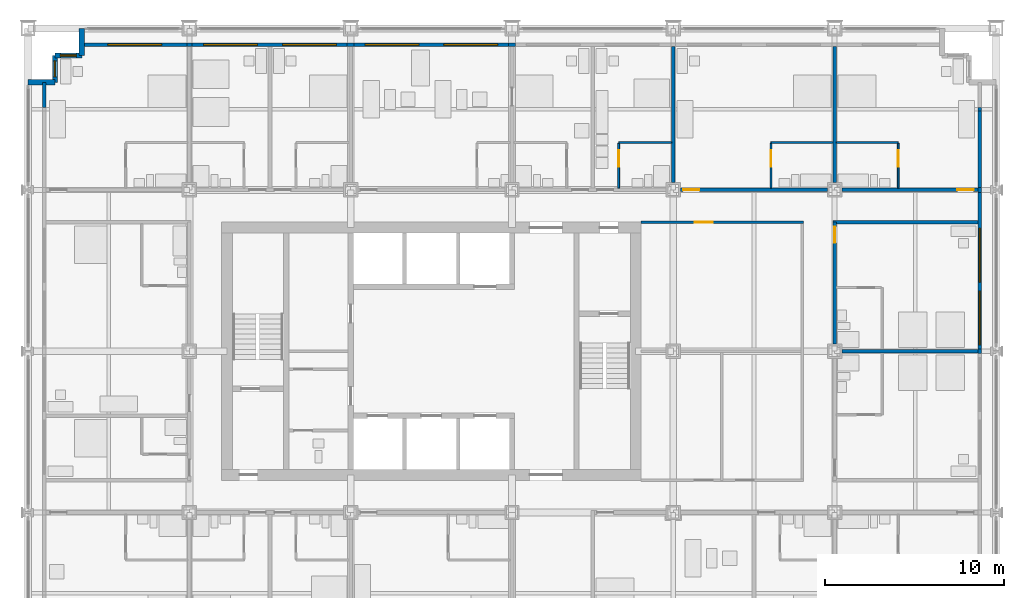
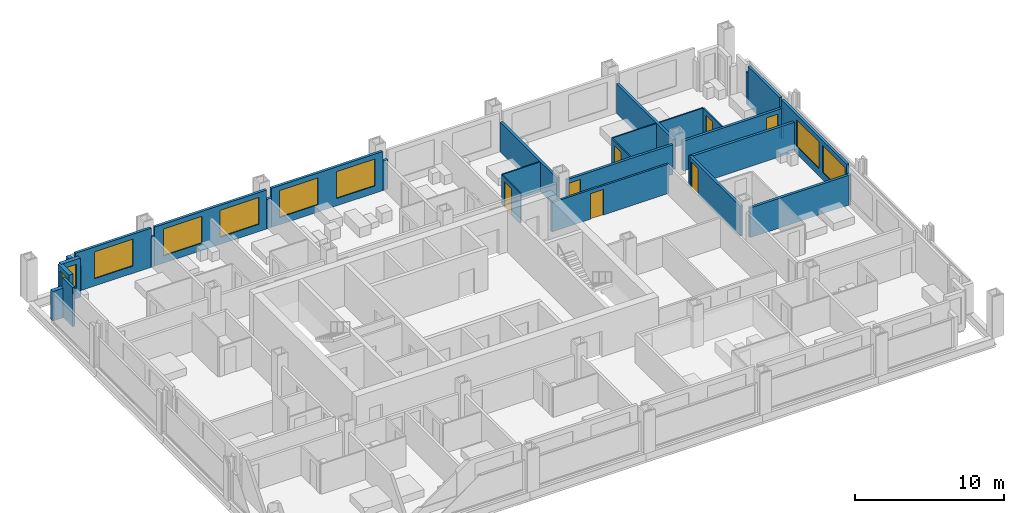
# One storey, part 14 of 18: 30 walls, 9 windows, 7 doors, 16 openings.
"""IFC4 building model written with IfcOpenShell, lengths in metres."""

from ifc_helpers import new_model, si_unit, direction, frame, frame_2d, origin, place, context, subcontext, project, spatial, rectangle, extrude, material, layer, layer_set, type_object, element, fill, save


model = new_model("IFC4")

# Units and contexts
model_context = context("Model", 3, precision=1e-05, world=origin(), true_north=direction((0.0, 1.0)))
body_context = subcontext(model_context, "Body", "Model", "MODEL_VIEW")
ifc_project = project(units=[si_unit("LENGTHUNIT", "METRE"), si_unit("AREAUNIT", "SQUARE_METRE"), si_unit("VOLUMEUNIT", "CUBIC_METRE"), si_unit("PLANEANGLEUNIT", "RADIAN"), si_unit("MASSUNIT", "GRAM", prefix="KILO")], contexts=[model_context])

# Site, building, storey
site_placement = place(None, origin())
site = spatial("IfcSite", under=ifc_project, at=site_placement, CompositionType="ELEMENT")
building_placement = place(site_placement, origin())
building = spatial("IfcBuilding", under=site, at=building_placement, Name="Loomwork Tower", CompositionType="ELEMENT")
storey_placement = place(building_placement, frame((0.0, 0.0, 34.800048828125)))
storey = spatial("IfcBuildingStorey", under=building, at=storey_placement, Name="L07", CompositionType="ELEMENT", Elevation=34.800048828125)

# Wall, opening, door
ifc_material_1 = material(Name="Gypsum board on steel studs, one-hour", Category="steel")
ifc_layer_1 = layer(ifc_material_1, 0.199951171875)
ifc_layer_set_1 = layer_set([ifc_layer_1], Name="Corridor wall 200")
wall_type_1 = type_object("IfcWallType", Name="Corridor wall 200", PredefinedType="PARTITIONING", material=ifc_layer_set_1)
wall_1_placement = place(storey_placement, frame((36.39990234375, 27.0, 0.0), z_axis=(0.0, 0.0, 1.0), x_axis=(1.0, 0.0, 0.0)))
wall_1 = element("IfcWall", 1, at=wall_1_placement, inside=storey, type_object=wall_type_1, Name="North corridor wall 5", PredefinedType="PARTITIONING", context=body_context, shape_type="SweptSolid", body=[
    extrude(rectangle(XDim=8.2001953125, YDim=0.199951171875, at=frame_2d((4.10009765625, 0.0))), origin(), (0.0, 0.0, 1.0), 2.43798828125),
])
opening_1_placement = place(wall_1_placement, frame((0.14990234375, 0.0, 0.0)))
opening_1 = element("IfcOpeningElement", 2, at=opening_1_placement, cuts=wall_1, Name="Opening D1", PredefinedType="OPENING", context=body_context, shape_type="SweptSolid", body=[
    extrude(rectangle(XDim=0.89990234375, YDim=2.10009765625, at=frame_2d((0.449951171875, 1.050048828125))), frame((0.0, 0.10986328125, 0.0), z_axis=(0.0, -1.0, 0.0), x_axis=(1.0, 0.0, 0.0)), (0.0, 0.0, 1.0), 0.219970703125),
])
ifc_material_2 = material(Name="Hollow metal door and frame")
door_type_1 = type_object("IfcDoorType", Name="Guest room entry door 900", OperationType="SINGLE_SWING_LEFT", PredefinedType="DOOR", material=ifc_material_2)
door_1_placement = place(opening_1_placement, origin())
door_1 = element("IfcDoor", 3, at=door_1_placement, inside=storey, type_object=door_type_1, Name="Guest room entry door L07 14", OperationType="SINGLE_SWING_LEFT", OverallHeight=2.10009765625, OverallWidth=0.89990234375, PredefinedType="DOOR", context=body_context, shape_type="SweptSolid", body=[
    extrude(rectangle(XDim=0.89990234375, YDim=2.10009765625, at=frame_2d((0.449951171875, 1.050048828125))), frame((0.0, 0.02490234375, 0.0), z_axis=(0.0, -1.0, 0.0), x_axis=(1.0, 0.0, 0.0)), (0.0, 0.0, 1.0), 0.050048828125),
])
fill(opening_1, door_1)

wall_2_placement = place(storey_placement, frame((45.39990234375, 27.0, 0.0), z_axis=(0.0, 0.0, 1.0), x_axis=(1.0, 0.0, 0.0)))
wall_2 = element("IfcWall", 4, at=wall_2_placement, inside=storey, type_object=wall_type_1, Name="North corridor wall 6", PredefinedType="PARTITIONING", context=body_context, shape_type="SweptSolid", body=[
    extrude(rectangle(XDim=7.60009765625, YDim=0.199951171875, at=frame_2d((3.800048828125, 0.0))), origin(), (0.0, 0.0, 1.0), 2.43798828125),
])
opening_2_placement = place(wall_2_placement, frame((6.449951171875, 0.0, 0.0)))
opening_2 = element("IfcOpeningElement", 5, at=opening_2_placement, cuts=wall_2, Name="Opening D1", PredefinedType="OPENING", context=body_context, shape_type="SweptSolid", body=[
    extrude(rectangle(XDim=0.89990234375, YDim=2.10009765625, at=frame_2d((0.449951171875, 1.050048828125))), frame((0.0, 0.10986328125, 0.0), z_axis=(0.0, -1.0, 0.0), x_axis=(1.0, 0.0, 0.0)), (0.0, 0.0, 1.0), 0.219970703125),
])
door_2_placement = place(opening_2_placement, origin())
door_2 = element("IfcDoor", 6, at=door_2_placement, inside=storey, type_object=door_type_1, Name="Guest room entry door L07 15", OperationType="SINGLE_SWING_RIGHT", OverallHeight=2.10009765625, OverallWidth=0.89990234375, PredefinedType="DOOR", context=body_context, shape_type="SweptSolid", body=[
    extrude(rectangle(XDim=0.89990234375, YDim=2.10009765625, at=frame_2d((0.449951171875, 1.050048828125))), frame((0.0, 0.02490234375, 0.0), z_axis=(0.0, -1.0, 0.0), x_axis=(1.0, 0.0, 0.0)), (0.0, 0.0, 1.0), 0.050048828125),
])
fill(opening_2, door_2)

wall_3_placement = place(storey_placement, frame((45.0, 18.39990234375, 0.0), z_axis=(0.0, 0.0, 1.0), x_axis=(0.0, 1.0, 0.0)))
wall_3 = element("IfcWall", 7, at=wall_3_placement, inside=storey, type_object=wall_type_1, Name="East corridor wall 2", PredefinedType="PARTITIONING", context=body_context, shape_type="SweptSolid", body=[
    extrude(rectangle(XDim=6.800048828125, YDim=0.199951171875, at=frame_2d((3.39990234375, 0.0))), origin(), (0.0, 0.0, 1.0), 2.43798828125),
])
opening_3_placement = place(wall_3_placement, frame((5.64990234375, 0.0, 0.0)))
opening_3 = element("IfcOpeningElement", 8, at=opening_3_placement, cuts=wall_3, Name="Opening D1", PredefinedType="OPENING", context=body_context, shape_type="SweptSolid", body=[
    extrude(rectangle(XDim=0.89990234375, YDim=2.10009765625, at=frame_2d((0.449951171875, 1.050048828125))), frame((0.0, 0.10986328125, 0.0), z_axis=(0.0, -1.0, 0.0), x_axis=(1.0, 0.0, 0.0)), (0.0, 0.0, 1.0), 0.219970703125),
])
door_3_placement = place(opening_3_placement, frame((0.89990234375, 0.0, 0.0), z_axis=(0.0, 0.0, 1.0), x_axis=(-1.0, 0.0, 0.0)))
door_3 = element("IfcDoor", 9, at=door_3_placement, inside=storey, type_object=door_type_1, Name="Guest room entry door L07 19", OperationType="SINGLE_SWING_LEFT", OverallHeight=2.10009765625, OverallWidth=0.89990234375, PredefinedType="DOOR", context=body_context, shape_type="SweptSolid", body=[
    extrude(rectangle(XDim=0.89990234375, YDim=2.10009765625, at=frame_2d((0.449951171875, 1.050048828125))), frame((0.0, 0.02490234375, 0.0), z_axis=(0.0, -1.0, 0.0), x_axis=(1.0, 0.0, 0.0)), (0.0, 0.0, 1.0), 0.050048828125),
])
fill(opening_3, door_3)

# Walls
wall_4_placement = place(storey_placement, frame((44.89990234375, 25.199951171875, 0.0), z_axis=(0.0, 0.0, 1.0), x_axis=(1.0, 0.0, 0.0)))
element("IfcWall", 10, at=wall_4_placement, inside=storey, type_object=wall_type_1, Name="East band end wall N", PredefinedType="PARTITIONING", context=body_context, shape_type="SweptSolid", body=[
    extrude(rectangle(XDim=8.10009765625, YDim=0.199951171875, at=frame_2d((4.050048828125, 0.0))), origin(), (0.0, 0.0, 1.0), 2.43798828125),
])
ifc_material_3 = material(Name="Cement board on steel studs", Category="steel")
ifc_layer_2 = layer(ifc_material_3, 0.10009765625)
ifc_layer_set_2 = layer_set([ifc_layer_2], Name="En-suite partition 100")
wall_type_2 = type_object("IfcWallType", Name="En-suite partition 100", PredefinedType="PARTITIONING", material=ifc_layer_set_2)
wall_5_placement = place(storey_placement, frame((32.949951171875, 29.64990234375, 0.0), z_axis=(0.0, 0.0, 1.0), x_axis=(1.0, 0.0, 0.0)))
element("IfcWall", 11, at=wall_5_placement, inside=storey, type_object=wall_type_2, Name="En-suite wall L07 room 13", PredefinedType="PARTITIONING", context=body_context, shape_type="SweptSolid", body=[
    extrude(rectangle(XDim=2.949951171875, YDim=0.10009765625, at=frame_2d((1.47509765625, 0.0))), origin(), (0.0, 0.0, 1.0), 2.43798828125),
])

# Wall, opening, door
wall_6_placement = place(storey_placement, frame((32.949951171875, 27.10009765625, 0.0), z_axis=(0.0, 0.0, 1.0), x_axis=(0.0, 1.0, 0.0)))
wall_6 = element("IfcWall", 12, at=wall_6_placement, inside=storey, type_object=wall_type_2, Name="En-suite side wall L07 room 13", PredefinedType="PARTITIONING", context=body_context, shape_type="SweptSolid", body=[
    extrude(rectangle(XDim=2.5, YDim=0.10009765625, at=frame_2d((1.25, 0.0))), origin(), (0.0, 0.0, 1.0), 2.404052734375),
])
opening_4_placement = place(wall_6_placement, frame((1.199951171875, 0.0, 0.0)))
opening_4 = element("IfcOpeningElement", 13, at=opening_4_placement, cuts=wall_6, Name="Opening D2", PredefinedType="OPENING", context=body_context, shape_type="SweptSolid", body=[
    extrude(rectangle(XDim=0.89990234375, YDim=2.10009765625, at=frame_2d((0.449951171875, 1.050048828125))), frame((0.0, 0.06005859375, 0.0), z_axis=(0.0, -1.0, 0.0), x_axis=(1.0, 0.0, 0.0)), (0.0, 0.0, 1.0), 0.1201171875),
])
ifc_material_4 = material(Name="Hollow metal door and frame")
door_type_2 = type_object("IfcDoorType", Name="En-suite door 900", OperationType="SINGLE_SWING_LEFT", PredefinedType="DOOR", material=ifc_material_4)
door_4_placement = place(opening_4_placement, frame((0.89990234375, 0.0, 0.0), z_axis=(0.0, 0.0, 1.0), x_axis=(-1.0, 0.0, 0.0)))
door_4 = element("IfcDoor", 14, at=door_4_placement, inside=storey, type_object=door_type_2, Name="En-suite door room 13", OperationType="SINGLE_SWING_LEFT", OverallHeight=2.10009765625, OverallWidth=0.89990234375, PredefinedType="DOOR", context=body_context, shape_type="SweptSolid", body=[
    extrude(rectangle(XDim=0.89990234375, YDim=2.10009765625, at=frame_2d((0.449951171875, 1.050048828125))), frame((0.0, 0.02490234375, 0.0), z_axis=(0.0, -1.0, 0.0), x_axis=(1.0, 0.0, 0.0)), (0.0, 0.0, 1.0), 0.050048828125),
])
fill(opening_4, door_4)

# Wall
wall_7_placement = place(storey_placement, frame((41.449951171875, 29.64990234375, 0.0), z_axis=(0.0, 0.0, 1.0), x_axis=(1.0, 0.0, 0.0)))
element("IfcWall", 15, at=wall_7_placement, inside=storey, type_object=wall_type_2, Name="En-suite wall L07 room 14", PredefinedType="PARTITIONING", context=body_context, shape_type="SweptSolid", body=[
    extrude(rectangle(XDim=3.449951171875, YDim=0.10009765625, at=frame_2d((1.72509765625, 0.0))), origin(), (0.0, 0.0, 1.0), 2.43798828125),
])

# Wall, opening, door
wall_8_placement = place(storey_placement, frame((41.449951171875, 27.10009765625, 0.0), z_axis=(0.0, 0.0, 1.0), x_axis=(0.0, 1.0, 0.0)))
wall_8 = element("IfcWall", 16, at=wall_8_placement, inside=storey, type_object=wall_type_2, Name="En-suite side wall L07 room 14", PredefinedType="PARTITIONING", context=body_context, shape_type="SweptSolid", body=[
    extrude(rectangle(XDim=2.5, YDim=0.10009765625, at=frame_2d((1.25, 0.0))), origin(), (0.0, 0.0, 1.0), 2.43798828125),
])
opening_5_placement = place(wall_8_placement, frame((1.199951171875, 0.0, 0.0)))
opening_5 = element("IfcOpeningElement", 17, at=opening_5_placement, cuts=wall_8, Name="Opening D2", PredefinedType="OPENING", context=body_context, shape_type="SweptSolid", body=[
    extrude(rectangle(XDim=0.89990234375, YDim=2.10009765625, at=frame_2d((0.449951171875, 1.050048828125))), frame((0.0, 0.06005859375, 0.0), z_axis=(0.0, -1.0, 0.0), x_axis=(1.0, 0.0, 0.0)), (0.0, 0.0, 1.0), 0.1201171875),
])
door_5_placement = place(opening_5_placement, frame((0.89990234375, 0.0, 0.0), z_axis=(0.0, 0.0, 1.0), x_axis=(-1.0, 0.0, 0.0)))
door_5 = element("IfcDoor", 18, at=door_5_placement, inside=storey, type_object=door_type_2, Name="En-suite door room 14", OperationType="SINGLE_SWING_LEFT", OverallHeight=2.10009765625, OverallWidth=0.89990234375, PredefinedType="DOOR", context=body_context, shape_type="SweptSolid", body=[
    extrude(rectangle(XDim=0.89990234375, YDim=2.10009765625, at=frame_2d((0.449951171875, 1.050048828125))), frame((0.0, 0.02490234375, 0.0), z_axis=(0.0, -1.0, 0.0), x_axis=(1.0, 0.0, 0.0)), (0.0, 0.0, 1.0), 0.050048828125),
])
fill(opening_5, door_5)

# Wall
wall_9_placement = place(storey_placement, frame((45.10009765625, 29.64990234375, 0.0), z_axis=(0.0, 0.0, 1.0), x_axis=(1.0, 0.0, 0.0)))
element("IfcWall", 19, at=wall_9_placement, inside=storey, type_object=wall_type_2, Name="En-suite wall L07 room 15", PredefinedType="PARTITIONING", context=body_context, shape_type="SweptSolid", body=[
    extrude(rectangle(XDim=3.449951171875, YDim=0.10009765625, at=frame_2d((1.72509765625, 0.0))), origin(), (0.0, 0.0, 1.0), 2.43798828125),
])

# Wall, opening, door
wall_10_placement = place(storey_placement, frame((48.550048828125, 27.10009765625, 0.0), z_axis=(0.0, 0.0, 1.0), x_axis=(0.0, 1.0, 0.0)))
wall_10 = element("IfcWall", 20, at=wall_10_placement, inside=storey, type_object=wall_type_2, Name="En-suite side wall L07 room 15", PredefinedType="PARTITIONING", context=body_context, shape_type="SweptSolid", body=[
    extrude(rectangle(XDim=2.5, YDim=0.10009765625, at=frame_2d((1.25, 0.0))), origin(), (0.0, 0.0, 1.0), 2.43798828125),
])
opening_6_placement = place(wall_10_placement, frame((1.199951171875, 0.0, 0.0)))
opening_6 = element("IfcOpeningElement", 21, at=opening_6_placement, cuts=wall_10, Name="Opening D2", PredefinedType="OPENING", context=body_context, shape_type="SweptSolid", body=[
    extrude(rectangle(XDim=0.89990234375, YDim=2.10009765625, at=frame_2d((0.449951171875, 1.050048828125))), frame((0.0, 0.06005859375, 0.0), z_axis=(0.0, -1.0, 0.0), x_axis=(1.0, 0.0, 0.0)), (0.0, 0.0, 1.0), 0.1201171875),
])
door_6_placement = place(opening_6_placement, origin())
door_6 = element("IfcDoor", 22, at=door_6_placement, inside=storey, type_object=door_type_2, Name="En-suite door room 15", OperationType="SINGLE_SWING_RIGHT", OverallHeight=2.10009765625, OverallWidth=0.89990234375, PredefinedType="DOOR", context=body_context, shape_type="SweptSolid", body=[
    extrude(rectangle(XDim=0.89990234375, YDim=2.10009765625, at=frame_2d((0.449951171875, 1.050048828125))), frame((0.0, 0.02490234375, 0.0), z_axis=(0.0, -1.0, 0.0), x_axis=(1.0, 0.0, 0.0)), (0.0, 0.0, 1.0), 0.050048828125),
])
fill(opening_6, door_6)

# Walls
ifc_material_5 = material(Name="Gypsum board on steel studs, acoustic", Category="steel")
ifc_layer_3 = layer(ifc_material_5, 0.199951171875)
ifc_layer_set_3 = layer_set([ifc_layer_3], Name="Guest room party wall 200")
wall_type_3 = type_object("IfcWallType", Name="Guest room party wall 200", PredefinedType="PARTITIONING", material=ifc_layer_set_3)
for number, where, z_axis, x_axis, name in (
    (23, (36.0, 27.39990234375, 0.0), (0.0, 0.0, 1.0), (0.0, 1.0, 0.0), "Guest room party wall N 36"),
    (24, (45.0, 27.39990234375, 0.0), (0.0, 0.0, 1.0), (0.0, 1.0, 0.0), "Guest room party wall N 45"),
    (25, (45.39990234375, 18.0, 0.0), (0.0, 0.0, 1.0), (1.0, 0.0, 0.0), "Guest room party wall E 18"),
):
    element("IfcWall", number, at=place(storey_placement, frame(where, z_axis=z_axis, x_axis=x_axis)), inside=storey, type_object=wall_type_3, Name=name, PredefinedType="PARTITIONING", context=body_context, shape_type="SweptSolid", body=[
        extrude(rectangle(XDim=7.60009765625, YDim=0.199951171875, at=frame_2d((3.800048828125, 0.0))), origin(), (0.0, 0.0, 1.0), 2.43798828125),
    ])

# Wall, opening, window
ifc_material_6 = material(Name="Insulated steel stud wall with gypsum lining", Category="steel")
ifc_layer_4 = layer(ifc_material_6, 0.199951171875)
ifc_layer_set_4 = layer_set([ifc_layer_4], Name="Inner skin wall 200")
wall_type_4 = type_object("IfcWallType", Name="Inner skin wall 200", PredefinedType="SOLIDWALL", material=ifc_layer_set_4)
wall_11_placement = place(storey_placement, frame((3.0, 35.10009765625, 0.0), z_axis=(0.0, 0.0, 1.0), x_axis=(1.0, 0.0, 0.0)))
wall_11 = element("IfcWall", 26, at=wall_11_placement, inside=storey, type_object=wall_type_4, Name="Inner skin wall N", PredefinedType="SOLIDWALL", context=body_context, shape_type="SweptSolid", body=[
    extrude(rectangle(XDim=5.86474609375, YDim=0.199951171875, at=frame_2d((2.932373046875, 0.0))), origin(), (0.0, 0.0, 1.0), 3.199951171875),
])
opening_7_placement = place(wall_11_placement, frame((1.449951171875, 0.0, 0.60009765625)))
opening_7 = element("IfcOpeningElement", 27, at=opening_7_placement, cuts=wall_11, Name="Opening CH1", PredefinedType="OPENING", context=body_context, shape_type="SweptSolid", body=[
    extrude(rectangle(XDim=3.0, YDim=2.199951171875, at=frame_2d((1.5, 1.10009765625))), frame((0.0, 0.10986328125, 0.0), z_axis=(0.0, -1.0, 0.0), x_axis=(1.0, 0.0, 0.0)), (0.0, 0.0, 1.0), 0.219970703125),
])
ifc_material_7 = material(Name="Aluminium frame with clear insulated glass", Category="aluminium")
window_type_1 = type_object("IfcWindowType", Name="Chicago window 3000", PartitioningType="TRIPLE_PANEL_VERTICAL", PredefinedType="WINDOW", material=ifc_material_7)
window_1_placement = place(opening_7_placement, origin())
window_1 = element("IfcWindow", 28, at=window_1_placement, inside=storey, type_object=window_type_1, Name="Chicago window L07 bay 7", OverallHeight=2.199951171875, OverallWidth=3.0, PartitioningType="TRIPLE_PANEL_VERTICAL", PredefinedType="WINDOW", context=body_context, shape_type="SweptSolid", body=[
    extrude(rectangle(XDim=3.0, YDim=2.199951171875, at=frame_2d((1.5, 1.10009765625))), frame((0.0, 0.030029296875, 0.0), z_axis=(0.0, -1.0, 0.0), x_axis=(1.0, 0.0, 0.0)), (0.0, 0.0, 1.0), 0.06005859375),
])
fill(opening_7, window_1)

# Walls
wall_12_placement = place(storey_placement, frame((0.89990234375, 31.607421875, 0.0), z_axis=(0.0, 0.0, 1.0), x_axis=(0.0, 1.0, 0.0)))
element("IfcWall", 29, at=wall_12_placement, inside=storey, type_object=wall_type_4, Name="Inner skin wall W bay 11", PredefinedType="SOLIDWALL", context=body_context, shape_type="SweptSolid", body=[
    extrude(rectangle(XDim=1.392578125, YDim=0.199951171875, at=frame_2d((0.6962890625, 0.0))), origin(), (0.0, 0.0, 1.0), 3.199951171875),
])
wall_13_placement = place(storey_placement, frame((8.86474609375, 35.10009765625, 0.0), z_axis=(0.0, 0.0, 1.0), x_axis=(1.0, 0.0, 0.0)))
element("IfcWall", 30, at=wall_13_placement, inside=storey, type_object=wall_type_4, Name="Inner skin wall N bay 2", PredefinedType="SOLIDWALL", context=body_context, shape_type="SweptSolid", body=[
    extrude(rectangle(XDim=0.2705078125, YDim=0.199951171875, at=frame_2d((0.13525390625, 0.0))), origin(), (0.0, 0.0, 1.0), 2.43798828125),
])

# Wall, openings, windows
wall_14_placement = place(storey_placement, frame((9.13525390625, 35.10009765625, 0.0), z_axis=(0.0, 0.0, 1.0), x_axis=(1.0, 0.0, 0.0)))
wall_14 = element("IfcWall", 31, at=wall_14_placement, inside=storey, type_object=wall_type_4, Name="Inner skin wall N bay 3", PredefinedType="SOLIDWALL", context=body_context, shape_type="SweptSolid", body=[
    extrude(rectangle(XDim=8.6708984375, YDim=0.199951171875, at=frame_2d((4.33544921875, 0.0))), origin(), (0.0, 0.0, 1.0), 3.199951171875),
])
opening_8_placement = place(wall_14_placement, frame((0.664794921875, 0.0, 0.60009765625)))
opening_8 = element("IfcOpeningElement", 32, at=opening_8_placement, cuts=wall_14, Name="Opening CH1", PredefinedType="OPENING", context=body_context, shape_type="SweptSolid", body=[
    extrude(rectangle(XDim=3.0, YDim=2.199951171875, at=frame_2d((1.5, 1.10009765625))), frame((0.0, 0.10986328125, 0.0), z_axis=(0.0, -1.0, 0.0), x_axis=(1.0, 0.0, 0.0)), (0.0, 0.0, 1.0), 0.219970703125),
])
opening_9_placement = place(wall_14_placement, frame((5.064697265625, 0.0, 0.60009765625)))
opening_9 = element("IfcOpeningElement", 33, at=opening_9_placement, cuts=wall_14, Name="Opening CH1", PredefinedType="OPENING", context=body_context, shape_type="SweptSolid", body=[
    extrude(rectangle(XDim=3.0, YDim=2.199951171875, at=frame_2d((1.5, 1.10009765625))), frame((0.0, 0.10986328125, 0.0), z_axis=(0.0, -1.0, 0.0), x_axis=(1.0, 0.0, 0.0)), (0.0, 0.0, 1.0), 0.219970703125),
])
window_2_placement = place(opening_8_placement, origin())
window_2 = element("IfcWindow", 34, at=window_2_placement, inside=storey, type_object=window_type_1, Name="Chicago window L07 bay 8", OverallHeight=2.199951171875, OverallWidth=3.0, PartitioningType="TRIPLE_PANEL_VERTICAL", PredefinedType="WINDOW", context=body_context, shape_type="SweptSolid", body=[
    extrude(rectangle(XDim=3.0, YDim=2.199951171875, at=frame_2d((1.5, 1.10009765625))), frame((0.0, 0.030029296875, 0.0), z_axis=(0.0, -1.0, 0.0), x_axis=(1.0, 0.0, 0.0)), (0.0, 0.0, 1.0), 0.06005859375),
])
fill(opening_8, window_2)
window_3_placement = place(opening_9_placement, origin())
window_3 = element("IfcWindow", 35, at=window_3_placement, inside=storey, type_object=window_type_1, Name="Chicago window L07 bay 8", OverallHeight=2.199951171875, OverallWidth=3.0, PartitioningType="TRIPLE_PANEL_VERTICAL", PredefinedType="WINDOW", context=body_context, shape_type="SweptSolid", body=[
    extrude(rectangle(XDim=3.0, YDim=2.199951171875, at=frame_2d((1.5, 1.10009765625))), frame((0.0, 0.030029296875, 0.0), z_axis=(0.0, -1.0, 0.0), x_axis=(1.0, 0.0, 0.0)), (0.0, 0.0, 1.0), 0.06005859375),
])
fill(opening_9, window_3)

# Wall
wall_15_placement = place(storey_placement, frame((17.80615234375, 35.10009765625, 0.0), z_axis=(0.0, 0.0, 1.0), x_axis=(1.0, 0.0, 0.0)))
element("IfcWall", 36, at=wall_15_placement, inside=storey, type_object=wall_type_4, Name="Inner skin wall N bay 4", PredefinedType="SOLIDWALL", context=body_context, shape_type="SweptSolid", body=[
    extrude(rectangle(XDim=0.3876953125, YDim=0.199951171875, at=frame_2d((0.19384765625, 0.0))), origin(), (0.0, 0.0, 1.0), 2.404052734375),
])

# Wall, openings, windows
wall_16_placement = place(storey_placement, frame((18.19384765625, 35.10009765625, 0.0), z_axis=(0.0, 0.0, 1.0), x_axis=(1.0, 0.0, 0.0)))
wall_16 = element("IfcWall", 37, at=wall_16_placement, inside=storey, type_object=wall_type_4, Name="Inner skin wall N bay 5", PredefinedType="SOLIDWALL", context=body_context, shape_type="SweptSolid", body=[
    extrude(rectangle(XDim=8.6123046875, YDim=0.199951171875, at=frame_2d((4.30615234375, 0.0))), origin(), (0.0, 0.0, 1.0), 3.199951171875),
])
opening_10_placement = place(wall_16_placement, frame((0.606201171875, 0.0, 0.60009765625)))
opening_10 = element("IfcOpeningElement", 38, at=opening_10_placement, cuts=wall_16, Name="Opening CH1", PredefinedType="OPENING", context=body_context, shape_type="SweptSolid", body=[
    extrude(rectangle(XDim=3.0, YDim=2.199951171875, at=frame_2d((1.5, 1.10009765625))), frame((0.0, 0.10986328125, 0.0), z_axis=(0.0, -1.0, 0.0), x_axis=(1.0, 0.0, 0.0)), (0.0, 0.0, 1.0), 0.219970703125),
])
opening_11_placement = place(wall_16_placement, frame((5.006103515625, 0.0, 0.60009765625)))
opening_11 = element("IfcOpeningElement", 39, at=opening_11_placement, cuts=wall_16, Name="Opening CH1", PredefinedType="OPENING", context=body_context, shape_type="SweptSolid", body=[
    extrude(rectangle(XDim=3.0, YDim=2.199951171875, at=frame_2d((1.5, 1.10009765625))), frame((0.0, 0.10986328125, 0.0), z_axis=(0.0, -1.0, 0.0), x_axis=(1.0, 0.0, 0.0)), (0.0, 0.0, 1.0), 0.219970703125),
])
window_4_placement = place(opening_10_placement, origin())
window_4 = element("IfcWindow", 40, at=window_4_placement, inside=storey, type_object=window_type_1, Name="Chicago window L07 bay 9", OverallHeight=2.199951171875, OverallWidth=3.0, PartitioningType="TRIPLE_PANEL_VERTICAL", PredefinedType="WINDOW", context=body_context, shape_type="SweptSolid", body=[
    extrude(rectangle(XDim=3.0, YDim=2.199951171875, at=frame_2d((1.5, 1.10009765625))), frame((0.0, 0.030029296875, 0.0), z_axis=(0.0, -1.0, 0.0), x_axis=(1.0, 0.0, 0.0)), (0.0, 0.0, 1.0), 0.06005859375),
])
fill(opening_10, window_4)
window_5_placement = place(opening_11_placement, origin())
window_5 = element("IfcWindow", 41, at=window_5_placement, inside=storey, type_object=window_type_1, Name="Chicago window L07 bay 9", OverallHeight=2.199951171875, OverallWidth=3.0, PartitioningType="TRIPLE_PANEL_VERTICAL", PredefinedType="WINDOW", context=body_context, shape_type="SweptSolid", body=[
    extrude(rectangle(XDim=3.0, YDim=2.199951171875, at=frame_2d((1.5, 1.10009765625))), frame((0.0, 0.030029296875, 0.0), z_axis=(0.0, -1.0, 0.0), x_axis=(1.0, 0.0, 0.0)), (0.0, 0.0, 1.0), 0.06005859375),
])
fill(opening_11, window_5)

# Walls
wall_17_placement = place(storey_placement, frame((26.80615234375, 35.10009765625, 0.0), z_axis=(0.0, 0.0, 1.0), x_axis=(1.0, 0.0, 0.0)))
element("IfcWall", 42, at=wall_17_placement, inside=storey, type_object=wall_type_4, Name="Inner skin wall N bay 6", PredefinedType="SOLIDWALL", context=body_context, shape_type="SweptSolid", body=[
    extrude(rectangle(XDim=0.3876953125, YDim=0.199951171875, at=frame_2d((0.19384765625, 0.0))), origin(), (0.0, 0.0, 1.0), 2.404052734375),
])
wall_18_placement = place(storey_placement, frame((53.10009765625, 17.864501953125, 0.0), z_axis=(0.0, 0.0, 1.0), x_axis=(0.0, 1.0, 0.0)))
element("IfcWall", 43, at=wall_18_placement, inside=storey, type_object=wall_type_4, Name="Inner skin wall E bay 6", PredefinedType="SOLIDWALL", context=body_context, shape_type="SweptSolid", body=[
    extrude(rectangle(XDim=0.27099609375, YDim=0.199951171875, at=frame_2d((0.135498046875, 0.0))), origin(), (0.0, 0.0, 1.0), 2.43798828125),
])

# Wall, openings, windows
wall_19_placement = place(storey_placement, frame((53.10009765625, 18.135498046875, 0.0), z_axis=(0.0, 0.0, 1.0), x_axis=(0.0, 1.0, 0.0)))
wall_19 = element("IfcWall", 44, at=wall_19_placement, inside=storey, type_object=wall_type_4, Name="Inner skin wall E bay 7", PredefinedType="SOLIDWALL", context=body_context, shape_type="SweptSolid", body=[
    extrude(rectangle(XDim=8.729248046875, YDim=0.199951171875, at=frame_2d((4.36474609375, 0.0))), origin(), (0.0, 0.0, 1.0), 3.199951171875),
])
opening_12_placement = place(wall_19_placement, frame((0.214599609375, 0.0, 0.60009765625)))
opening_12 = element("IfcOpeningElement", 45, at=opening_12_placement, cuts=wall_19, Name="Opening CH1", PredefinedType="OPENING", context=body_context, shape_type="SweptSolid", body=[
    extrude(rectangle(XDim=3.0, YDim=2.199951171875, at=frame_2d((1.5, 1.10009765625))), frame((0.0, 0.10986328125, 0.0), z_axis=(0.0, -1.0, 0.0), x_axis=(1.0, 0.0, 0.0)), (0.0, 0.0, 1.0), 0.219970703125),
])
opening_13_placement = place(wall_19_placement, frame((3.714599609375, 0.0, 0.60009765625)))
opening_13 = element("IfcOpeningElement", 46, at=opening_13_placement, cuts=wall_19, Name="Opening CH1", PredefinedType="OPENING", context=body_context, shape_type="SweptSolid", body=[
    extrude(rectangle(XDim=3.0, YDim=2.199951171875, at=frame_2d((1.5, 1.10009765625))), frame((0.0, 0.10986328125, 0.0), z_axis=(0.0, -1.0, 0.0), x_axis=(1.0, 0.0, 0.0)), (0.0, 0.0, 1.0), 0.219970703125),
])
window_6_placement = place(opening_12_placement, origin())
window_6 = element("IfcWindow", 47, at=window_6_placement, inside=storey, type_object=window_type_1, Name="Chicago window L07 bay 16", OverallHeight=2.199951171875, OverallWidth=3.0, PartitioningType="TRIPLE_PANEL_VERTICAL", PredefinedType="WINDOW", context=body_context, shape_type="SweptSolid", body=[
    extrude(rectangle(XDim=3.0, YDim=2.199951171875, at=frame_2d((1.5, 1.10009765625))), frame((0.0, 0.030029296875, 0.0), z_axis=(0.0, -1.0, 0.0), x_axis=(1.0, 0.0, 0.0)), (0.0, 0.0, 1.0), 0.06005859375),
])
fill(opening_12, window_6)
window_7_placement = place(opening_13_placement, origin())
window_7 = element("IfcWindow", 48, at=window_7_placement, inside=storey, type_object=window_type_1, Name="Chicago window L07 bay 16", OverallHeight=2.199951171875, OverallWidth=3.0, PartitioningType="TRIPLE_PANEL_VERTICAL", PredefinedType="WINDOW", context=body_context, shape_type="SweptSolid", body=[
    extrude(rectangle(XDim=3.0, YDim=2.199951171875, at=frame_2d((1.5, 1.10009765625))), frame((0.0, 0.030029296875, 0.0), z_axis=(0.0, -1.0, 0.0), x_axis=(1.0, 0.0, 0.0)), (0.0, 0.0, 1.0), 0.06005859375),
])
fill(opening_13, window_7)

# Walls
wall_20_placement = place(storey_placement, frame((53.10009765625, 26.86474609375, 0.0), z_axis=(0.0, 0.0, 1.0), x_axis=(0.0, 1.0, 0.0)))
element("IfcWall", 49, at=wall_20_placement, inside=storey, type_object=wall_type_4, Name="Inner skin wall E bay 8", PredefinedType="SOLIDWALL", context=body_context, shape_type="SweptSolid", body=[
    extrude(rectangle(XDim=0.2705078125, YDim=0.199951171875, at=frame_2d((0.13525390625, 0.0))), origin(), (0.0, 0.0, 1.0), 2.43798828125),
])
wall_21_placement = place(storey_placement, frame((53.10009765625, 27.13525390625, 0.0), z_axis=(0.0, 0.0, 1.0), x_axis=(0.0, 1.0, 0.0)))
element("IfcWall", 50, at=wall_21_placement, inside=storey, type_object=wall_type_4, Name="Inner skin wall E bay 9", PredefinedType="SOLIDWALL", context=body_context, shape_type="SweptSolid", body=[
    extrude(rectangle(XDim=4.25732421875, YDim=0.199951171875, at=frame_2d((2.128662109375, 0.0))), origin(), (0.0, 0.0, 1.0), 3.199951171875),
])
wall_22_placement = place(storey_placement, frame((53.10009765625, 31.392578125, 0.0), z_axis=(0.0, 0.0, 1.0), x_axis=(0.0, 1.0, 0.0)))
element("IfcWall", 51, at=wall_22_placement, inside=storey, type_object=wall_type_4, Name="Inner skin wall E bay 10", PredefinedType="SOLIDWALL", context=body_context, shape_type="SweptSolid", body=[
    extrude(rectangle(XDim=0.21484375, YDim=0.199951171875, at=frame_2d((0.107421875, 0.0))), origin(), (0.0, 0.0, 1.0), 2.660888671875),
])
ifc_material_8 = material(Name="Limestone on concrete masonry", Category="masonry")
ifc_layer_5 = layer(ifc_material_8, 0.300048828125)
ifc_layer_set_5 = layer_set([ifc_layer_5], Name="Limestone corner wall 300")
wall_type_5 = type_object("IfcWallType", Name="Limestone corner wall 300", PredefinedType="SOLIDWALL", material=ifc_layer_set_5)
wall_23_placement = place(storey_placement, frame((3.0, 36.0, 0.0), z_axis=(0.0, 0.0, 1.0), x_axis=(0.0, -1.0, 0.0)))
element("IfcWall", 52, at=wall_23_placement, inside=storey, type_object=wall_type_5, Name="Stone corner wall NW 1", PredefinedType="SOLIDWALL", context=body_context, shape_type="SweptSolid", body=[
    extrude(rectangle(XDim=1.5, YDim=0.300048828125, at=frame_2d((0.75, 0.0))), origin(), (0.0, 0.0, 1.0), 2.419921875),
])

# Wall, opening, window
wall_24_placement = place(storey_placement, frame((3.0, 34.5, 0.0), z_axis=(0.0, 0.0, 1.0), x_axis=(-1.0, 0.0, 0.0)))
wall_24 = element("IfcWall", 53, at=wall_24_placement, inside=storey, type_object=wall_type_5, Name="Stone corner wall NW 2", PredefinedType="SOLIDWALL", context=body_context, shape_type="SweptSolid", body=[
    extrude(rectangle(XDim=1.5, YDim=0.300048828125, at=frame_2d((0.75, 0.0))), origin(), (0.0, 0.0, 1.0), 3.199951171875),
])
opening_14_placement = place(wall_24_placement, frame((0.300048828125, 0.0, 0.60009765625)))
opening_14 = element("IfcOpeningElement", 54, at=opening_14_placement, cuts=wall_24, Name="Opening CH2", PredefinedType="OPENING", context=body_context, shape_type="SweptSolid", body=[
    extrude(rectangle(XDim=0.89990234375, YDim=2.199951171875, at=frame_2d((0.449951171875, 1.10009765625))), frame((0.0, 0.159912109375, 0.0), z_axis=(0.0, -1.0, 0.0), x_axis=(1.0, 0.0, 0.0)), (0.0, 0.0, 1.0), 0.320068359375),
])
ifc_material_9 = material(Name="Aluminium frame with clear insulated glass", Category="aluminium")
window_type_2 = type_object("IfcWindowType", Name="Corner window 900", PartitioningType="SINGLE_PANEL", PredefinedType="WINDOW", material=ifc_material_9)
window_8_placement = place(opening_14_placement, origin())
window_8 = element("IfcWindow", 55, at=window_8_placement, inside=storey, type_object=window_type_2, Name="Corner window NW", OverallHeight=2.199951171875, OverallWidth=0.89990234375, PartitioningType="SINGLE_PANEL", PredefinedType="WINDOW", context=body_context, shape_type="SweptSolid", body=[
    extrude(rectangle(XDim=0.89990234375, YDim=2.199951171875, at=frame_2d((0.449951171875, 1.10009765625))), frame((0.0, 0.030029296875, 0.0), z_axis=(0.0, -1.0, 0.0), x_axis=(1.0, 0.0, 0.0)), (0.0, 0.0, 1.0), 0.06005859375),
])
fill(opening_14, window_8)

wall_25_placement = place(storey_placement, frame((1.5, 34.5, 0.0), z_axis=(0.0, 0.0, 1.0), x_axis=(0.0, -1.0, 0.0)))
wall_25 = element("IfcWall", 56, at=wall_25_placement, inside=storey, type_object=wall_type_5, Name="Stone corner wall NW 3", PredefinedType="SOLIDWALL", context=body_context, shape_type="SweptSolid", body=[
    extrude(rectangle(XDim=1.5, YDim=0.300048828125, at=frame_2d((0.75, 0.0))), origin(), (0.0, 0.0, 1.0), 3.199951171875),
])
opening_15_placement = place(wall_25_placement, frame((0.300048828125, 0.0, 0.60009765625)))
opening_15 = element("IfcOpeningElement", 57, at=opening_15_placement, cuts=wall_25, Name="Opening CH2", PredefinedType="OPENING", context=body_context, shape_type="SweptSolid", body=[
    extrude(rectangle(XDim=0.89990234375, YDim=2.199951171875, at=frame_2d((0.449951171875, 1.10009765625))), frame((0.0, 0.159912109375, 0.0), z_axis=(0.0, -1.0, 0.0), x_axis=(1.0, 0.0, 0.0)), (0.0, 0.0, 1.0), 0.320068359375),
])
window_9_placement = place(opening_15_placement, origin())
window_9 = element("IfcWindow", 58, at=window_9_placement, inside=storey, type_object=window_type_2, Name="Corner window NW", OverallHeight=2.199951171875, OverallWidth=0.89990234375, PartitioningType="SINGLE_PANEL", PredefinedType="WINDOW", context=body_context, shape_type="SweptSolid", body=[
    extrude(rectangle(XDim=0.89990234375, YDim=2.199951171875, at=frame_2d((0.449951171875, 1.10009765625))), frame((0.0, 0.030029296875, 0.0), z_axis=(0.0, -1.0, 0.0), x_axis=(1.0, 0.0, 0.0)), (0.0, 0.0, 1.0), 0.06005859375),
])
fill(opening_15, window_9)

# Wall
wall_26_placement = place(storey_placement, frame((1.5, 33.0, 0.0), z_axis=(0.0, 0.0, 1.0), x_axis=(-1.0, 0.0, 0.0)))
element("IfcWall", 59, at=wall_26_placement, inside=storey, type_object=wall_type_5, Name="Stone corner wall NW 4", PredefinedType="SOLIDWALL", context=body_context, shape_type="SweptSolid", body=[
    extrude(rectangle(XDim=1.5, YDim=0.300048828125, at=frame_2d((0.75, 0.0))), origin(), (0.0, 0.0, 1.0), 2.419921875),
])

# Wall, opening, door
ifc_material_10 = material(Name="Gypsum board on steel studs, one-hour", Category="steel")
ifc_layer_6 = layer(ifc_material_10, 0.14990234375)
ifc_layer_set_6 = layer_set([ifc_layer_6], Name="Service partition 150")
wall_type_6 = type_object("IfcWallType", Name="Service partition 150", PredefinedType="PARTITIONING", material=ifc_layer_set_6)
wall_27_placement = place(storey_placement, frame((34.199951171875, 25.199951171875, 0.0), z_axis=(0.0, 0.0, 1.0), x_axis=(1.0, 0.0, 0.0)))
wall_27 = element("IfcWall", 60, at=wall_27_placement, inside=storey, type_object=wall_type_6, Name="Service block wall N", PredefinedType="PARTITIONING", context=body_context, shape_type="SweptSolid", body=[
    extrude(rectangle(XDim=9.074951171875, YDim=0.14990234375, at=frame_2d((4.53759765625, 0.0))), origin(), (0.0, 0.0, 1.0), 2.404052734375),
])
opening_16_placement = place(wall_27_placement, frame((3.0, 0.0, 0.0)))
opening_16 = element("IfcOpeningElement", 61, at=opening_16_placement, cuts=wall_27, Name="Opening D5", PredefinedType="OPENING", context=body_context, shape_type="SweptSolid", body=[
    extrude(rectangle(XDim=1.0, YDim=2.10009765625, at=frame_2d((0.5, 1.050048828125))), frame((0.0, 0.0849609375, 0.0), z_axis=(0.0, -1.0, 0.0), x_axis=(1.0, 0.0, 0.0)), (0.0, 0.0, 1.0), 0.169921875),
])
ifc_material_11 = material(Name="Hollow metal door and frame")
door_type_3 = type_object("IfcDoorType", Name="Service door 1000", OperationType="SINGLE_SWING_LEFT", PredefinedType="DOOR", material=ifc_material_11)
door_7_placement = place(opening_16_placement, frame((1.0, 0.0, 0.0), z_axis=(0.0, 0.0, 1.0), x_axis=(-1.0, 0.0, 0.0)))
door_7 = element("IfcDoor", 62, at=door_7_placement, inside=storey, type_object=door_type_3, Name="Riser room door", OperationType="SINGLE_SWING_RIGHT", OverallHeight=2.10009765625, OverallWidth=1.0, PredefinedType="DOOR", context=body_context, shape_type="SweptSolid", body=[
    extrude(rectangle(XDim=1.0, YDim=2.10009765625, at=frame_2d((0.5, 1.050048828125))), frame((0.0, 0.02490234375, 0.0), z_axis=(0.0, -1.0, 0.0), x_axis=(1.0, 0.0, 0.0)), (0.0, 0.0, 1.0), 0.050048828125),
])
fill(opening_16, door_7)

save(model, "model.ifc")
